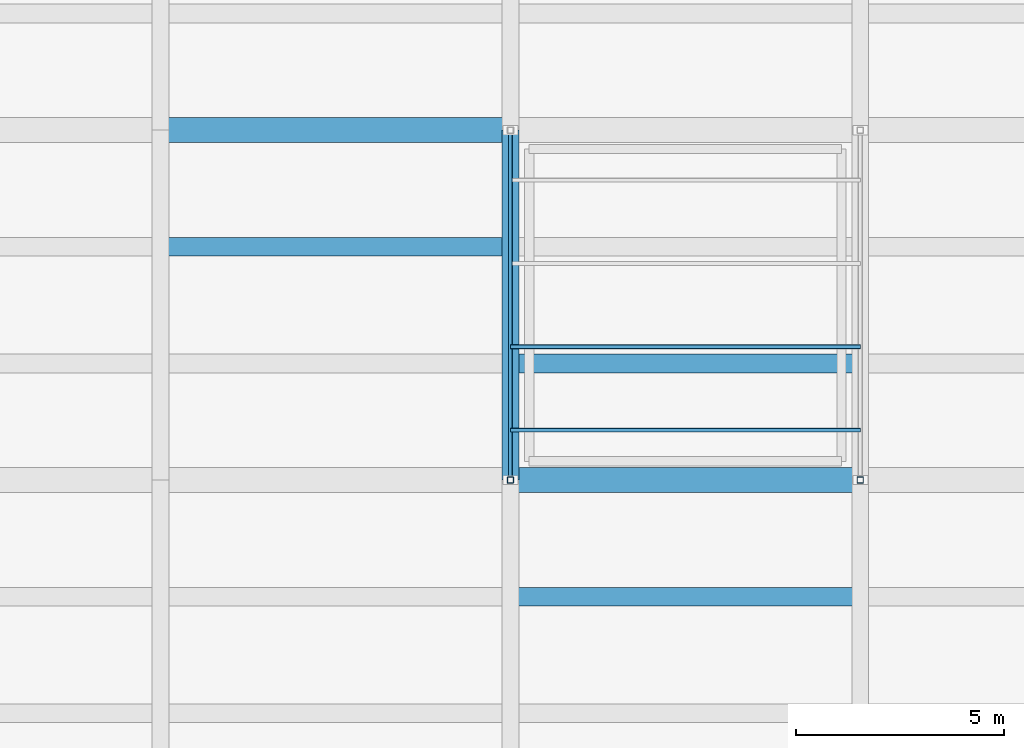
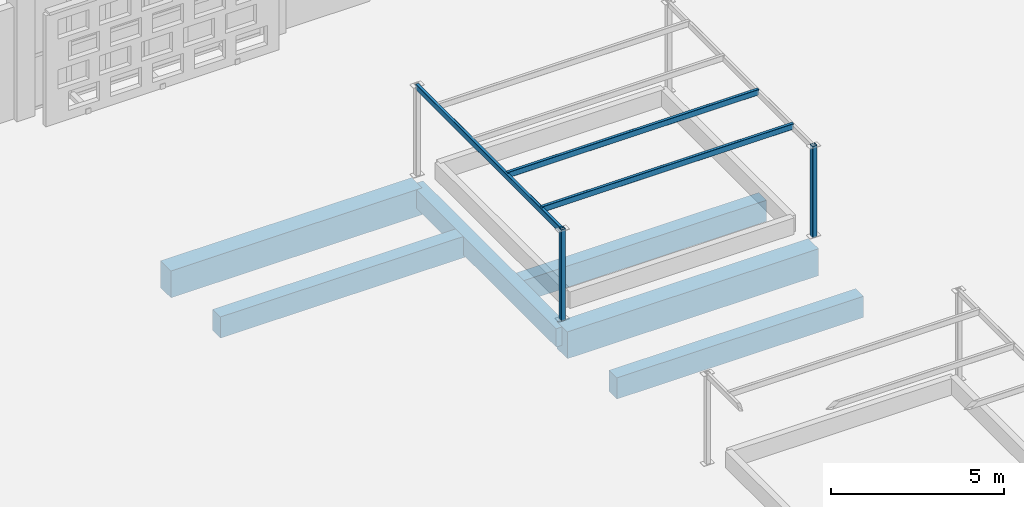
# One storey, part 24 of 129: 6 beams, 5 members.
"""IFC4 building model written with IfcOpenShell, lengths in metres."""

from ifc_helpers import new_model, si_unit, direction, frame, origin, origin_2d, place, context, subcontext, project, spatial, rectangle, hollow_rectangle, extrude, material, material_profile, profile_set, type_object, element, save


model = new_model("IFC4")

# Units and contexts
model_context = context("Model", 3, precision=1e-05, world=origin(), true_north=direction((0.0, 1.0)))
body_context = subcontext(model_context, "Body", "Model", "MODEL_VIEW")
ifc_project = project(units=[si_unit("LENGTHUNIT", "METRE"), si_unit("AREAUNIT", "SQUARE_METRE"), si_unit("VOLUMEUNIT", "CUBIC_METRE"), si_unit("PLANEANGLEUNIT", "RADIAN"), si_unit("MASSUNIT", "GRAM", prefix="KILO")], contexts=[model_context])

# Site, building, storey
site_placement = place(None, origin())
site = spatial("IfcSite", under=ifc_project, at=site_placement, CompositionType="ELEMENT")
building_placement = place(site_placement, origin())
building = spatial("IfcBuilding", under=site, at=building_placement, Name="Varnapada Polytechnic", CompositionType="ELEMENT")
storey_placement = place(building_placement, origin())
storey = spatial("IfcBuildingStorey", under=building, at=storey_placement, Name="L00", CompositionType="ELEMENT", Elevation=0.0)

# Beams
ifc_material_1 = material(Name="Concrete C40/50", Category="concrete")
ifc_material_profile_1 = material_profile(ifc_material_1, rectangle(XDim=0.449951171875, YDim=0.75, at=origin_2d()), Name="RC 450x750")
ifc_profile_set_1 = profile_set([ifc_material_profile_1], Name="Concrete C40/50")
beam_type_1 = type_object("IfcBeamType", Name="Basement/podium secondary beam BB-01 (RC 450x750)", PredefinedType="BEAM", material=ifc_profile_set_1)
beam_1_placement = place(storey_placement, frame((58.8798828125, 72.800048828125, -0.655029296875), z_axis=(1.0, 0.0, 0.0), x_axis=(0.0, 1.0, 0.0)))
element("IfcBeam", 1, at=beam_1_placement, inside=storey, type_object=beam_type_1, Name="L00 floor joist 8/9.2", PredefinedType="BEAM", context=body_context, shape_type="SweptSolid", body=[
    extrude(rectangle(XDim=0.449951171875, YDim=0.75, at=origin_2d()), origin(), (0.0, 0.0, 1.0), 8.240234375),
])
for number, where, z_axis, x_axis, name in (
    (2, (67.280029296875, 64.39990234375, -0.655029296875), (1.0, 0.0, 0.0), (0.0, 1.0, 0.0), "L00 floor joist 9/8.2"),
    (3, (67.280029296875, 70.0, -0.655029296875), (1.0, 0.0, 0.0), (0.0, 1.0, 0.0), "L00 floor joist 9/9.1"),
):
    element("IfcBeam", number, at=place(storey_placement, frame(where, z_axis=z_axis, x_axis=x_axis)), inside=storey, type_object=beam_type_1, Name=name, PredefinedType="BEAM", context=body_context, shape_type="SweptSolid", body=[
        extrude(rectangle(XDim=0.449951171875, YDim=0.75, at=origin_2d()), origin(), (0.0, 0.0, 1.0), 8.239990234375),
    ])

# Members
ifc_material_2 = material(Name="Steel S355", Category="steel")
ifc_material_profile_2 = material_profile(ifc_material_2, hollow_rectangle(XDim=0.10009765625, YDim=0.199951171875, WallThickness=0.00634765625, InnerFilletRadius=0.006103515625, OuterFilletRadius=0.011962890625, at=origin_2d()), Name="RHS 200x100x6.3")
ifc_profile_set_2 = profile_set([ifc_material_profile_2], Name="Steel S355")
member_type_1 = type_object("IfcMemberType", Name="Gable and library roof steel purlin PR-01 (RHS 200x100x6.3)", PredefinedType="PURLIN", material=ifc_profile_set_2)
for number, where, z_axis, x_axis, name in (
    (4, (67.199951171875, 67.199951171875, 3.1201171875), (0.0, 1.0, 0.0), (-1.0, 0.0, 0.0), "Courtyard planted garden pergola girder CT-BED-4.1"),
    (5, (67.199951171875, 68.39990234375, 3.159912109375), (1.0, 0.0, 0.0), (0.0, 1.0, 0.0), "Courtyard planted garden shade trellis CT-BED-4.1"),
    (6, (67.199951171875, 70.39990234375, 3.159912109375), (1.0, 0.0, 0.0), (0.0, 1.0, 0.0), "Courtyard planted garden shade trellis CT-BED-4.2"),
):
    element("IfcMember", number, at=place(storey_placement, frame(where, z_axis=z_axis, x_axis=x_axis)), inside=storey, type_object=member_type_1, Name=name, PredefinedType="PURLIN", context=body_context, shape_type="SweptSolid", body=[
        extrude(hollow_rectangle(XDim=0.10009765625, YDim=0.199951171875, WallThickness=0.00634765625, InnerFilletRadius=0.006103515625, OuterFilletRadius=0.011962890625, at=origin_2d()), origin(), (0.0, 0.0, 1.0), 8.400146484375),
    ])

# Beam
ifc_material_profile_3 = material_profile(ifc_material_1, rectangle(XDim=0.39990234375, YDim=0.64990234375, at=origin_2d()), Name="RC 400x650")
ifc_profile_set_3 = profile_set([ifc_material_profile_3], Name="Concrete C40/50")
beam_type_2 = type_object("IfcBeamType", Name="Podium framing beam BB-02 (RC 400x650)", PredefinedType="BEAM", material=ifc_profile_set_3)
beam_2_placement = place(storey_placement, frame((67.199951171875, 67.199951171875, -0.60498046875), z_axis=(0.0, 1.0, 0.0), x_axis=(-1.0, 0.0, 0.0)))
element("IfcBeam", 7, at=beam_2_placement, inside=storey, type_object=beam_type_2, Name="L00 beam Y 9-10 at X9", PredefinedType="BEAM", context=body_context, shape_type="SweptSolid", body=[
    extrude(rectangle(XDim=0.39990234375, YDim=0.64990234375, at=origin_2d()), origin(), (0.0, 0.0, 1.0), 8.400146484375),
])

# Members
ifc_material_profile_4 = material_profile(ifc_material_2, hollow_rectangle(XDim=0.14990234375, YDim=0.14990234375, WallThickness=0.00634765625, InnerFilletRadius=0.006103515625, OuterFilletRadius=0.011962890625, at=origin_2d()), Name="SHS 150x150x6.3")
ifc_profile_set_4 = profile_set([ifc_material_profile_4], Name="Steel S355")
member_type_2 = type_object("IfcMemberType", Name="Sawtooth north-light mullion post SFP-02 (SHS 150x150x6.3)", PredefinedType="POST", material=ifc_profile_set_4)
for number, where, z_axis, x_axis, name in (
    (8, (67.199951171875, 67.199951171875, -0.02001953125), (0.0, 0.0, 1.0), (1.0, 0.0, 0.0), "Courtyard planted garden trellis post CT-BED-4.1.1"),
    (9, (75.60009765625, 67.199951171875, -0.02001953125), (0.0, 0.0, 1.0), (1.0, 0.0, 0.0), "Courtyard planted garden trellis post CT-BED-4.2.1"),
):
    element("IfcMember", number, at=place(storey_placement, frame(where, z_axis=z_axis, x_axis=x_axis)), inside=storey, type_object=member_type_2, Name=name, PredefinedType="POST", context=body_context, shape_type="SweptSolid", body=[
        extrude(hollow_rectangle(XDim=0.14990234375, YDim=0.14990234375, WallThickness=0.00634765625, InnerFilletRadius=0.006103515625, OuterFilletRadius=0.011962890625, at=origin_2d()), origin(), (0.0, 0.0, 1.0), 3.239990234375),
    ])

# Beams
ifc_material_profile_5 = material_profile(ifc_material_1, rectangle(XDim=0.60009765625, YDim=0.949951171875, at=origin_2d()), Name="RC 600x950")
ifc_profile_set_5 = profile_set([ifc_material_profile_5], Name="Concrete C40/50")
beam_type_3 = type_object("IfcBeamType", Name="Workshop podium heavy girder BG-03 (RC 600x950)", PredefinedType="T_BEAM", material=ifc_profile_set_5)
beam_3_placement = place(storey_placement, frame((58.800048828125, 75.60009765625, -0.7548828125), z_axis=(1.0, 0.0, 0.0), x_axis=(0.0, 1.0, 0.0)))
element("IfcBeam", 10, at=beam_3_placement, inside=storey, type_object=beam_type_3, Name="L00 beam X 8-9 at Y10", PredefinedType="T_BEAM", context=body_context, shape_type="SweptSolid", body=[
    extrude(rectangle(XDim=0.60009765625, YDim=0.949951171875, at=origin_2d()), origin(), (0.0, 0.0, 1.0), 8.39990234375),
])
beam_4_placement = place(storey_placement, frame((67.199951171875, 67.199951171875, -0.7548828125), z_axis=(1.0, 0.0, 0.0), x_axis=(0.0, 1.0, 0.0)))
element("IfcBeam", 11, at=beam_4_placement, inside=storey, type_object=beam_type_3, Name="L00 beam X 9-10 at Y9", PredefinedType="T_BEAM", context=body_context, shape_type="SweptSolid", body=[
    extrude(rectangle(XDim=0.60009765625, YDim=0.949951171875, at=origin_2d()), origin(), (0.0, 0.0, 1.0), 8.400146484375),
])

save(model, "model.ifc")
